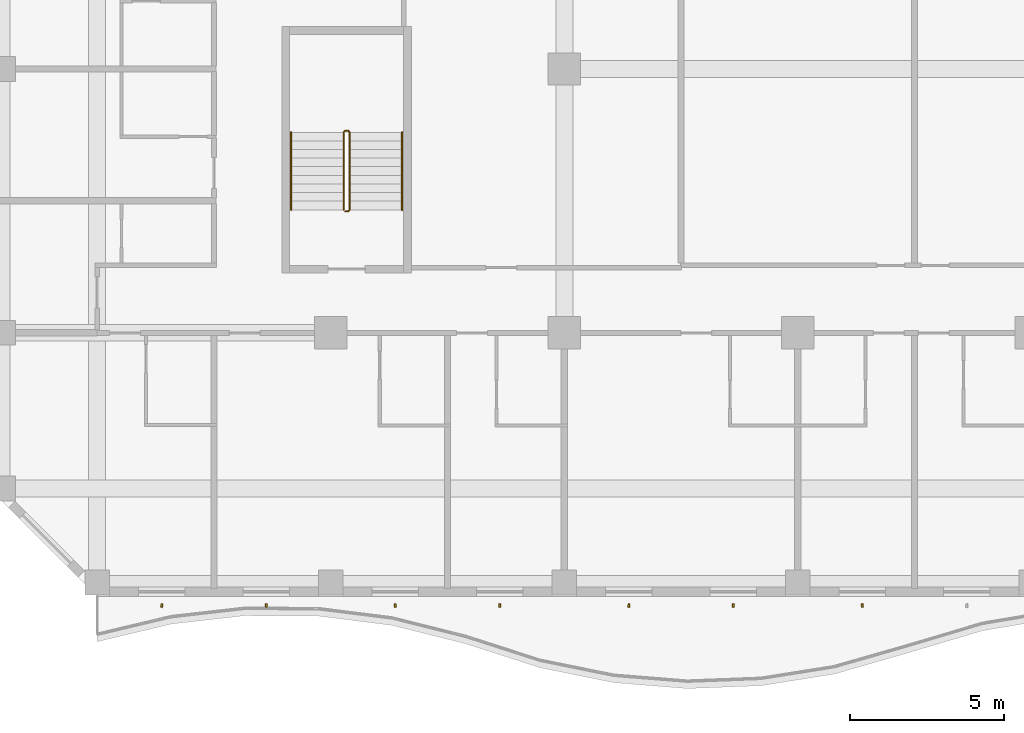
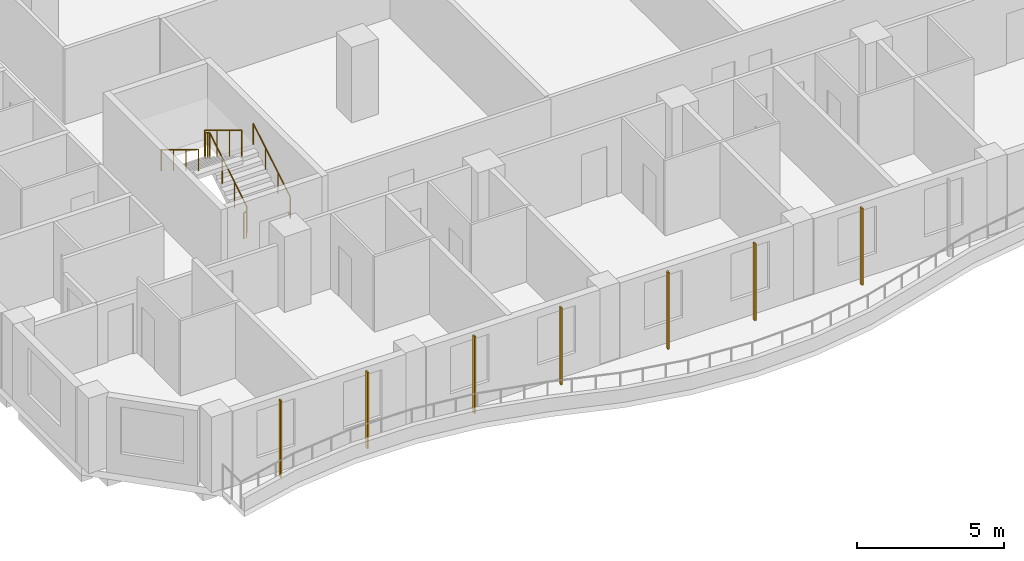
# One storey, part 15 of 23: 7 shading devices, 3 railings.
"""IFC4 building model written with IfcOpenShell, lengths in metres."""

from ifc_helpers import new_model, si_unit, direction, frame, origin, origin_2d, place, context, subcontext, project, spatial, rectangle, circle, extrude, source, transform, mapped, material, material_profile, profile_set, type_object, element, save


model = new_model("IFC4")

# Units and contexts
model_context = context("Model", 3, precision=1e-05, world=origin(), true_north=direction((0.0, 1.0)))
body_context = subcontext(model_context, "Body", "Model", "MODEL_VIEW")
ifc_project = project(units=[si_unit("LENGTHUNIT", "METRE"), si_unit("AREAUNIT", "SQUARE_METRE"), si_unit("VOLUMEUNIT", "CUBIC_METRE"), si_unit("PLANEANGLEUNIT", "RADIAN"), si_unit("MASSUNIT", "GRAM", prefix="KILO")], contexts=[model_context])

# Site, building, storey
site_placement = place(None, origin())
site = spatial("IfcSite", under=ifc_project, at=site_placement, CompositionType="ELEMENT")
building_placement = place(site_placement, origin())
building = spatial("IfcBuilding", under=site, at=building_placement, Name="Kilnfold Tower and Market Hall", CompositionType="ELEMENT")
storey_placement = place(building_placement, frame((0.0, 0.0, 178.699951171875)))
storey = spatial("IfcBuildingStorey", under=building, at=storey_placement, Name="L42", CompositionType="ELEMENT", Elevation=178.699951171875)

# Railings
ifc_material_1 = material(Name="Stainless steel 316", Category="steel")
railing_type_1 = type_object("IfcRailingType", Name="CORE STAIR GUARD 1100", PredefinedType="GUARDRAIL", material=ifc_material_1)
railing_1_placement = place(storey_placement, frame((-15.699951171875, -13.75, 0.0)))
element("IfcRailing", 1, at=railing_1_placement, inside=storey, type_object=railing_type_1, Name="L42 ST3 stair guard 1", PredefinedType="GUARDRAIL", context=body_context, shape_type="SweptSolid", body=[
    extrude(circle(Radius=0.02392578125, at=origin_2d()), frame((0.0, 0.0, 1.076171875), z_axis=(1.0, 0.0, 0.0), x_axis=(0.0, 1.0, 0.0)), (0.0, 0.0, 1.0), 0.099853515625),
    extrude(circle(Radius=0.02392578125, at=origin_2d()), frame((0.099853515625, 0.0, 1.076171875), z_axis=(0.271562723297, 0.271562723297, 0.923313259209), x_axis=(-0.707106781187, 0.707106781187, 0.0)), (0.0, 0.0, 1.0), 0.184326171875),
    extrude(circle(Radius=0.02392578125, at=origin_2d()), frame((0.14990234375, 0.050048828125, 1.24609375), z_axis=(0.0, 0.854821627497, 0.518921945155), x_axis=(-1.0, 0.0, 0.0)), (0.0, 0.0, 1.0), 2.947998046875),
    extrude(circle(Radius=0.02392578125, at=origin_2d()), frame((0.14990234375, 2.570068359375, 2.77587890625), z_axis=(-0.707106781187, 0.707106781187, 0.0), x_axis=(-0.707106781187, -0.707106781187, 0.0)), (0.0, 0.0, 1.0), 0.07080078125),
    extrude(circle(Radius=0.02392578125, at=origin_2d()), frame((0.099853515625, 2.6201171875, 2.77587890625), z_axis=(-1.0, 0.0, 0.0), x_axis=(0.0, -1.0, 0.0)), (0.0, 0.0, 1.0), 0.099853515625),
    extrude(circle(Radius=0.02392578125, at=origin_2d()), frame((0.0, 2.6201171875, 2.77587890625), z_axis=(-0.271562723297, -0.271562723297, 0.923313259209), x_axis=(0.707106781187, -0.707106781187, 0.0)), (0.0, 0.0, 1.0), 0.184326171875),
    extrude(circle(Radius=0.02392578125, at=origin_2d()), frame((-0.050048828125, 2.570068359375, 2.9462890625), z_axis=(0.0, -0.85478489116, 0.518982456201), x_axis=(1.0, 0.0, 0.0)), (0.0, 0.0, 1.0), 2.9482421875),
    extrude(circle(Radius=0.02099609375, at=origin_2d()), origin(), (0.0, 0.0, 1.0), 1.052001953125),
    extrude(circle(Radius=0.02099609375, at=origin_2d()), frame((0.099853515625, 0.0, 0.0)), (0.0, 0.0, 1.0), 1.052001953125),
    extrude(circle(Radius=0.02099609375, at=origin_2d()), frame((0.14990234375, 0.050048828125, 0.170166015625)), (0.0, 0.0, 1.0), 1.052001953125),
    extrude(circle(Radius=0.02099609375, at=origin_2d()), frame((0.14990234375, 0.89013671875, 0.68017578125)), (0.0, 0.0, 1.0), 1.052001953125),
    extrude(circle(Radius=0.02099609375, at=origin_2d()), frame((0.14990234375, 1.72998046875, 1.18994140625)), (0.0, 0.0, 1.0), 1.052001953125),
    extrude(circle(Radius=0.02099609375, at=origin_2d()), frame((0.14990234375, 2.570068359375, 1.699951171875)), (0.0, 0.0, 1.0), 1.052001953125),
    extrude(circle(Radius=0.02099609375, at=origin_2d()), frame((0.099853515625, 2.6201171875, 1.699951171875)), (0.0, 0.0, 1.0), 1.052001953125),
    extrude(circle(Radius=0.02099609375, at=origin_2d()), frame((0.0, 2.6201171875, 1.699951171875)), (0.0, 0.0, 1.0), 1.052001953125),
    extrude(circle(Radius=0.02099609375, at=origin_2d()), frame((-0.050048828125, 2.570068359375, 1.8701171875)), (0.0, 0.0, 1.0), 1.052001953125),
    extrude(circle(Radius=0.02099609375, at=origin_2d()), frame((-0.050048828125, 1.72998046875, 2.380126953125)), (0.0, 0.0, 1.0), 1.052001953125),
    extrude(circle(Radius=0.02099609375, at=origin_2d()), frame((-0.050048828125, 0.89013671875, 2.89013671875)), (0.0, 0.0, 1.0), 1.052001953125),
    extrude(circle(Radius=0.02099609375, at=origin_2d()), frame((-0.050048828125, 0.050048828125, 3.400146484375)), (0.0, 0.0, 1.0), 1.052001953125),
])
ifc_material_2 = material(Name="Stainless steel 316", Category="steel")
railing_type_2 = type_object("IfcRailingType", Name="CORE STAIR HANDRAIL 900", PredefinedType="HANDRAIL", material=ifc_material_2)
railing_2_placement = place(storey_placement, frame((-13.85009765625, -13.699951171875, 0.170166015625)))
element("IfcRailing", 2, at=railing_2_placement, inside=storey, type_object=railing_type_2, Name="L42 ST3 stair handrail 1", PredefinedType="HANDRAIL", context=body_context, shape_type="SweptSolid", body=[
    extrude(circle(Radius=0.02392578125, at=origin_2d()), frame((0.0, 0.0, 0.8759765625), z_axis=(0.0, 0.854821627497, 0.518921945155), x_axis=(-1.0, 0.0, 0.0)), (0.0, 0.0, 1.0), 2.947998046875),
    extrude(circle(Radius=0.02099609375, at=origin_2d()), origin(), (0.0, 0.0, 1.0), 0.851806640625),
    extrude(circle(Radius=0.02099609375, at=origin_2d()), frame((0.0, 0.840087890625, 0.510009765625)), (0.0, 0.0, 1.0), 0.851806640625),
    extrude(circle(Radius=0.02099609375, at=origin_2d()), frame((0.0, 1.679931640625, 1.019775390625)), (0.0, 0.0, 1.0), 0.851806640625),
    extrude(circle(Radius=0.02099609375, at=origin_2d()), frame((0.0, 2.52001953125, 1.52978515625)), (0.0, 0.0, 1.0), 0.851806640625),
])
railing_3_placement = place(storey_placement, frame((-17.449951171875, -11.179931640625, 1.8701171875)))
element("IfcRailing", 3, at=railing_3_placement, inside=storey, type_object=railing_type_2, Name="L42 ST3 stair handrail 2", PredefinedType="HANDRAIL", context=body_context, shape_type="SweptSolid", body=[
    extrude(circle(Radius=0.02392578125, at=origin_2d()), frame((0.0, 0.0, 0.8759765625), z_axis=(0.0, -0.85478489116, 0.518982456201), x_axis=(1.0, 0.0, 0.0)), (0.0, 0.0, 1.0), 2.9482421875),
    extrude(circle(Radius=0.02099609375, at=origin_2d()), origin(), (0.0, 0.0, 1.0), 0.851806640625),
    extrude(circle(Radius=0.02099609375, at=origin_2d()), frame((0.0, -0.840087890625, 0.510009765625)), (0.0, 0.0, 1.0), 0.851806640625),
    extrude(circle(Radius=0.02099609375, at=origin_2d()), frame((0.0, -1.679931640625, 1.02001953125)), (0.0, 0.0, 1.0), 0.851806640625),
    extrude(circle(Radius=0.02099609375, at=origin_2d()), frame((0.0, -2.52001953125, 1.530029296875)), (0.0, 0.0, 1.0), 0.851806640625),
])

# Shading devices
ifc_material_3 = material(Name="Terracotta", Category="masonry")
ifc_material_profile = material_profile(ifc_material_3, rectangle(XDim=0.06005859375, YDim=0.1201171875, at=origin_2d()), Name="BAG 60x120")
ifc_profile_set = profile_set([ifc_material_profile], Name="Terracotta")
shading_device_type = type_object("IfcShadingDeviceType", Name="BAGUETTE", PredefinedType="USERDEFINED", material=ifc_profile_set)
shared_shape = source(origin(), body_context, "Body", "SweptSolid", [
    extrude(rectangle(XDim=0.06005859375, YDim=0.1201171875, at=origin_2d()), origin(), (0.0, 0.0, 1.0), 3.179931640625),
])
for number, where, z_axis, x_axis, name in (
    (4, (-21.654296875, -26.550048828125, 0.0), (0.0, 0.0, 1.0), (0.990320465394, -0.138799768812, 0.0), "Terracotta baguette L42 S"),
    (5, (-18.2626953125, -26.550048828125, 0.0), (0.0, 0.0, 1.0), (0.999993962365, 0.003474943547, 0.0), "Terracotta baguette L42 S"),
    (6, (-14.07080078125, -26.550048828125, 0.0), (0.0, 0.0, 1.0), (0.99132048523, 0.131467469604, 0.0), "Terracotta baguette L42 S"),
    (7, (-10.67919921875, -26.550048828125, 0.0), (0.0, 0.0, 1.0), (0.999220516198, -0.039476068813, 0.0), "Terracotta baguette L42 S"),
    (8, (-6.4873046875, -26.550048828125, 0.0), (0.0, 0.0, 1.0), (0.99334163576, -0.115205879478, 0.0), "Terracotta baguette L42 S"),
    (9, (-3.095703125, -26.550048828125, 0.0), (0.0, 0.0, 1.0), (0.997350910859, 0.072740364375, 0.0), "Terracotta baguette L42 S"),
    (10, (1.095703125, -26.550048828125, 0.0), (0.0, 0.0, 1.0), (0.995843009346, 0.09108622693, 0.0), "Terracotta baguette L42 S"),
):
    element("IfcShadingDevice", number, at=place(storey_placement, frame(where, z_axis=z_axis, x_axis=x_axis)), inside=storey, type_object=shading_device_type, Name=name, ObjectType="BAGUETTE", PredefinedType="USERDEFINED", context=body_context, shape_type="MappedRepresentation", body=[
        mapped(shared_shape, transform((0.0, 0.0, 0.0))),
    ])

save(model, "model.ifc")
